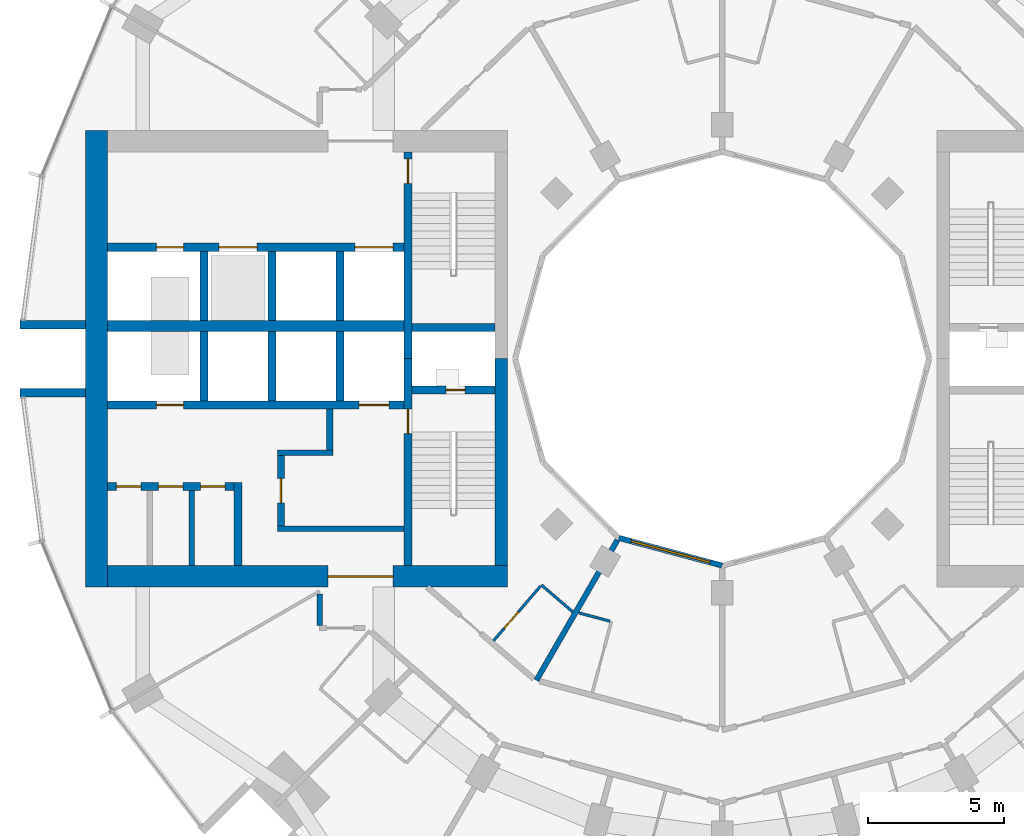
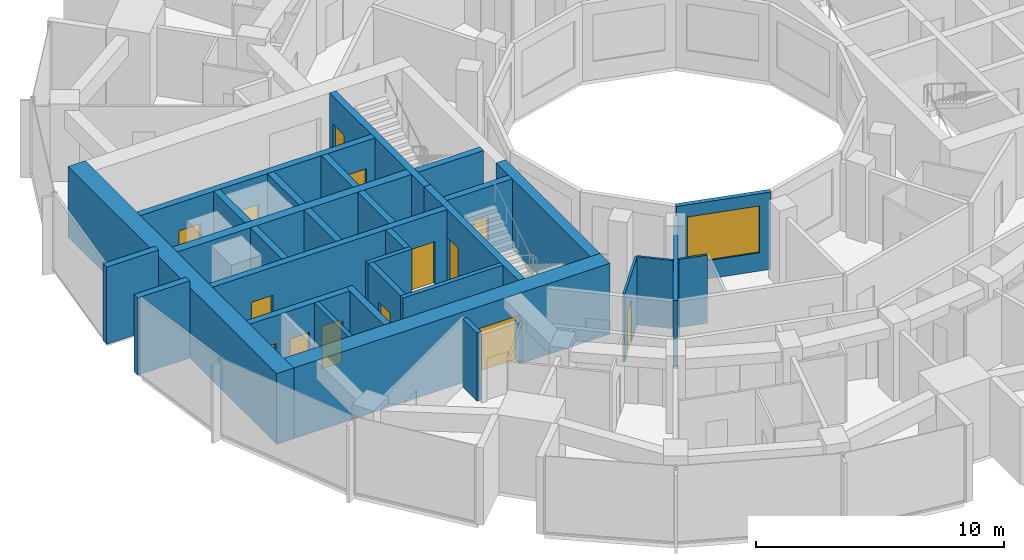
# One storey, part 9 of 15: 31 walls, 14 doors, 1 window, 15 openings.
"""IFC4 building model written with IfcOpenShell, lengths in metres."""

from ifc_helpers import new_model, si_unit, direction, frame, frame_2d, origin, place, context, subcontext, project, spatial, rectangle, extrude, material, layer, layer_set, type_object, element, fill, save


model = new_model("IFC4")

# Units and contexts
model_context = context("Model", 3, precision=1e-05, world=origin(), true_north=direction((0.0, 1.0)))
body_context = subcontext(model_context, "Body", "Model", "MODEL_VIEW")
ifc_project = project(units=[si_unit("LENGTHUNIT", "METRE"), si_unit("AREAUNIT", "SQUARE_METRE"), si_unit("VOLUMEUNIT", "CUBIC_METRE"), si_unit("PLANEANGLEUNIT", "RADIAN"), si_unit("MASSUNIT", "GRAM", prefix="KILO")], contexts=[model_context])

# Site, building, storey
site_placement = place(None, origin())
site = spatial("IfcSite", under=ifc_project, at=site_placement, CompositionType="ELEMENT")
building_placement = place(site_placement, origin())
building = spatial("IfcBuilding", under=site, at=building_placement, Name="Torre Brocal", CompositionType="ELEMENT")
storey_placement = place(building_placement, frame((0.0, 0.0, 51.60009765625)))
storey = spatial("IfcBuildingStorey", under=building, at=storey_placement, Name="L11", CompositionType="ELEMENT", Elevation=51.60009765625)

# Walls
ifc_material_1 = material(Name="Masonry block", Category="masonry")
ifc_layer_1 = layer(ifc_material_1, 0.199951171875)
ifc_layer_set_1 = layer_set([ifc_layer_1], Name="Masonry block")
wall_type_1 = type_object("IfcWallType", Name="CORE PARTITION 200", PredefinedType="PARTITIONING", material=ifc_layer_set_1)
wall_1_placement = place(storey_placement, frame((60.5, 70.14990234375, 0.0), z_axis=(0.0, 0.0, 1.0), x_axis=(0.0, -1.0, 0.0)))
element("IfcWall", 1, at=wall_1_placement, inside=storey, type_object=wall_type_1, Name="Wall CP200", PredefinedType="PARTITIONING", context=body_context, shape_type="SweptSolid", body=[
    extrude(rectangle(XDim=2.75, YDim=0.199951171875, at=frame_2d((1.375, 0.0))), origin(), (0.0, 0.0, 1.0), 3.47998046875),
])
ifc_material_2 = material(Name="Concrete C80", Category="concrete")
ifc_layer_2 = layer(ifc_material_2, 0.199951171875)
ifc_layer_set_2 = layer_set([ifc_layer_2], Name="Concrete C80")
wall_type_2 = type_object("IfcWallType", Name="CORE WALL 200 C80", PredefinedType="SHEAR", material=ifc_layer_set_2)
wall_2_placement = place(storey_placement, frame((68.300048828125, 68.75, 0.0), z_axis=(0.0, 0.0, 1.0), x_axis=(-1.0, 0.0, 0.0)))
element("IfcWall", 2, at=wall_2_placement, inside=storey, type_object=wall_type_2, Name="Wall CW200-80", PredefinedType="SHEAR", context=body_context, shape_type="SweptSolid", body=[
    extrude(rectangle(XDim=4.650146484375, YDim=0.199951171875, at=frame_2d((2.3251953125, 0.0))), origin(), (0.0, 0.0, 1.0), 3.47998046875),
])
wall_3_placement = place(storey_placement, frame((65.699951171875, 71.550048828125, 0.0), z_axis=(0.0, 0.0, 1.0), x_axis=(-1.0, 0.0, 0.0)))
element("IfcWall", 3, at=wall_3_placement, inside=storey, type_object=wall_type_2, Name="Wall CW200-80", PredefinedType="SHEAR", context=body_context, shape_type="SweptSolid", body=[
    extrude(rectangle(XDim=2.050048828125, YDim=0.199951171875, at=frame_2d((1.02490234375, 0.0))), origin(), (0.0, 0.0, 1.0), 3.47998046875),
])

# Wall, opening, door
ifc_material_3 = material(Name="Concrete C80", Category="concrete")
ifc_layer_3 = layer(ifc_material_3, 0.25)
ifc_layer_set_3 = layer_set([ifc_layer_3], Name="Concrete C80")
wall_type_3 = type_object("IfcWallType", Name="CORE WALL 250 C80", PredefinedType="SHEAR", material=ifc_layer_set_3)
wall_4_placement = place(storey_placement, frame((63.77490234375, 71.449951171875, 0.0), z_axis=(0.0, 0.0, 1.0), x_axis=(0.0, -1.0, 0.0)))
wall_4 = element("IfcWall", 4, at=wall_4_placement, inside=storey, type_object=wall_type_3, Name="Wall CW250-80", PredefinedType="SHEAR", context=body_context, shape_type="SweptSolid", body=[
    extrude(rectangle(XDim=2.599853515625, YDim=0.25, at=frame_2d((1.2998046875, 0.0))), origin(), (0.0, 0.0, 1.0), 3.47998046875),
])
opening_1_placement = place(wall_4_placement, frame((0.85009765625, 0.0, 0.0)))
opening_1 = element("IfcOpeningElement", 5, at=opening_1_placement, cuts=wall_4, Name="Opening W-D15", PredefinedType="OPENING", context=body_context, shape_type="SweptSolid", body=[
    extrude(rectangle(XDim=0.89990234375, YDim=2.10009765625, at=frame_2d((0.449951171875, 1.050048828125))), frame((0.0, 0.135009765625, 0.0), z_axis=(0.0, -1.0, 0.0), x_axis=(1.0, 0.0, 0.0)), (0.0, 0.0, 1.0), 0.27001953125),
])
ifc_material_4 = material(Name="Steel A653", Category="steel")
door_type_1 = type_object("IfcDoorType", Name="LOBBY DOOR FD120 900X2100", OperationType="SINGLE_SWING_RIGHT", PredefinedType="DOOR", material=ifc_material_4)
door_1_placement = place(opening_1_placement, origin())
door_1 = element("IfcDoor", 6, at=door_1_placement, inside=storey, type_object=door_type_1, Name="Door W-D15", OperationType="SINGLE_SWING_LEFT", OverallHeight=2.10009765625, OverallWidth=0.89990234375, PredefinedType="DOOR", context=body_context, shape_type="SweptSolid", body=[
    extrude(rectangle(XDim=0.89990234375, YDim=2.10009765625, at=frame_2d((0.449951171875, 1.050048828125))), frame((0.0, 0.02490234375, 0.0), z_axis=(0.0, -1.0, 0.0), x_axis=(1.0, 0.0, 0.0)), (0.0, 0.0, 1.0), 0.050048828125),
])
fill(opening_1, door_1)

# Wall
wall_5_placement = place(storey_placement, frame((65.574951171875, 73.14990234375, 0.0), z_axis=(0.0, 0.0, 1.0), x_axis=(0.0, -1.0, 0.0)))
element("IfcWall", 7, at=wall_5_placement, inside=storey, type_object=wall_type_3, Name="Wall CW250-80", PredefinedType="SHEAR", context=body_context, shape_type="SweptSolid", body=[
    extrude(rectangle(XDim=1.5, YDim=0.25, at=frame_2d((0.75, 0.0))), origin(), (0.0, 0.0, 1.0), 3.47998046875),
])

# Wall, opening, door
ifc_material_5 = material(Name="Concrete C80", Category="concrete")
ifc_layer_4 = layer(ifc_material_5, 0.300048828125)
ifc_layer_set_4 = layer_set([ifc_layer_4], Name="Concrete C80")
wall_type_4 = type_object("IfcWallType", Name="CORE WALL 300 C80", PredefinedType="SHEAR", material=ifc_layer_set_4)
wall_6_placement = place(storey_placement, frame((68.449951171875, 75.0, 0.0), z_axis=(0.0, 0.0, 1.0), x_axis=(0.0, -1.0, 0.0)))
wall_6 = element("IfcWall", 8, at=wall_6_placement, inside=storey, type_object=wall_type_4, Name="Wall CW300-80", PredefinedType="SHEAR", context=body_context, shape_type="SweptSolid", body=[
    extrude(rectangle(XDim=7.60009765625, YDim=0.300048828125, at=frame_2d((3.800048828125, 0.0))), origin(), (0.0, 0.0, 1.0), 3.47998046875),
])
opening_2_placement = place(wall_6_placement, frame((1.85009765625, 0.0, 0.0)))
opening_2 = element("IfcOpeningElement", 9, at=opening_2_placement, cuts=wall_6, Name="Opening W-D02", PredefinedType="OPENING", context=body_context, shape_type="SweptSolid", body=[
    extrude(rectangle(XDim=0.89990234375, YDim=2.10009765625, at=frame_2d((0.449951171875, 1.050048828125))), frame((0.0, 0.159912109375, 0.0), z_axis=(0.0, -1.0, 0.0), x_axis=(1.0, 0.0, 0.0)), (0.0, 0.0, 1.0), 0.320068359375),
])
ifc_material_6 = material(Name="Steel A653", Category="steel")
door_type_2 = type_object("IfcDoorType", Name="STAIR DOOR FD120 900X2100", OperationType="SINGLE_SWING_RIGHT", PredefinedType="DOOR", material=ifc_material_6)
door_2_placement = place(opening_2_placement, origin())
door_2 = element("IfcDoor", 10, at=door_2_placement, inside=storey, type_object=door_type_2, Name="Door W-D02", OperationType="SINGLE_SWING_LEFT", OverallHeight=2.10009765625, OverallWidth=0.89990234375, PredefinedType="DOOR", context=body_context, shape_type="SweptSolid", body=[
    extrude(rectangle(XDim=0.89990234375, YDim=2.10009765625, at=frame_2d((0.449951171875, 1.050048828125))), frame((0.0, 0.02490234375, 0.0), z_axis=(0.0, -1.0, 0.0), x_axis=(1.0, 0.0, 0.0)), (0.0, 0.0, 1.0), 0.050048828125),
])
fill(opening_2, door_2)

wall_7_placement = place(storey_placement, frame((68.449951171875, 82.60009765625, 0.0), z_axis=(0.0, 0.0, 1.0), x_axis=(0.0, -1.0, 0.0)))
wall_7 = element("IfcWall", 11, at=wall_7_placement, inside=storey, type_object=wall_type_4, Name="Wall CW300-80", PredefinedType="SHEAR", context=body_context, shape_type="SweptSolid", body=[
    extrude(rectangle(XDim=7.60009765625, YDim=0.300048828125, at=frame_2d((3.800048828125, 0.0))), origin(), (0.0, 0.0, 1.0), 3.47998046875),
])
opening_3_placement = place(wall_7_placement, frame((0.25, 0.0, 0.0)))
opening_3 = element("IfcOpeningElement", 12, at=opening_3_placement, cuts=wall_7, Name="Opening W-D03", PredefinedType="OPENING", context=body_context, shape_type="SweptSolid", body=[
    extrude(rectangle(XDim=0.89990234375, YDim=2.10009765625, at=frame_2d((0.449951171875, 1.050048828125))), frame((0.0, 0.159912109375, 0.0), z_axis=(0.0, -1.0, 0.0), x_axis=(1.0, 0.0, 0.0)), (0.0, 0.0, 1.0), 0.320068359375),
])
door_3_placement = place(opening_3_placement, origin())
door_3 = element("IfcDoor", 13, at=door_3_placement, inside=storey, type_object=door_type_2, Name="Door W-D03", OperationType="SINGLE_SWING_LEFT", OverallHeight=2.10009765625, OverallWidth=0.89990234375, PredefinedType="DOOR", context=body_context, shape_type="SweptSolid", body=[
    extrude(rectangle(XDim=0.89990234375, YDim=2.10009765625, at=frame_2d((0.449951171875, 1.050048828125))), frame((0.0, 0.02490234375, 0.0), z_axis=(0.0, -1.0, 0.0), x_axis=(1.0, 0.0, 0.0)), (0.0, 0.0, 1.0), 0.050048828125),
])
fill(opening_3, door_3)

wall_8_placement = place(storey_placement, frame((71.64990234375, 73.85009765625, 0.0), z_axis=(0.0, 0.0, 1.0), x_axis=(-1.0, 0.0, 0.0)))
wall_8 = element("IfcWall", 14, at=wall_8_placement, inside=storey, type_object=wall_type_4, Name="Wall CW300-80", PredefinedType="SHEAR", context=body_context, shape_type="SweptSolid", body=[
    extrude(rectangle(XDim=3.0498046875, YDim=0.300048828125, at=frame_2d((1.52490234375, 0.0))), origin(), (0.0, 0.0, 1.0), 3.47998046875),
])
opening_4_placement = place(wall_8_placement, frame((1.10009765625, 0.0, 0.0)))
opening_4 = element("IfcOpeningElement", 15, at=opening_4_placement, cuts=wall_8, Name="Opening W-D01", PredefinedType="OPENING", context=body_context, shape_type="SweptSolid", body=[
    extrude(rectangle(XDim=0.699951171875, YDim=2.0, at=frame_2d((0.35009765625, 1.0))), frame((0.0, 0.159912109375, 0.0), z_axis=(0.0, -1.0, 0.0), x_axis=(1.0, 0.0, 0.0)), (0.0, 0.0, 1.0), 0.320068359375),
])
ifc_material_7 = material(Name="Steel A653", Category="steel")
door_type_3 = type_object("IfcDoorType", Name="RISER DOOR FD120 700X2000", OperationType="SINGLE_SWING_LEFT", PredefinedType="DOOR", material=ifc_material_7)
door_4_placement = place(opening_4_placement, frame((0.699951171875, 0.0, 0.0), z_axis=(0.0, 0.0, 1.0), x_axis=(-1.0, 0.0, 0.0)))
door_4 = element("IfcDoor", 16, at=door_4_placement, inside=storey, type_object=door_type_3, Name="Door W-D01", OperationType="SINGLE_SWING_RIGHT", OverallHeight=2.0, OverallWidth=0.699951171875, PredefinedType="DOOR", context=body_context, shape_type="SweptSolid", body=[
    extrude(rectangle(XDim=0.699951171875, YDim=2.0, at=frame_2d((0.35009765625, 1.0))), frame((0.0, 0.02490234375, 0.0), z_axis=(0.0, -1.0, 0.0), x_axis=(1.0, 0.0, 0.0)), (0.0, 0.0, 1.0), 0.050048828125),
])
fill(opening_4, door_4)

# Wall
wall_9_placement = place(storey_placement, frame((71.64990234375, 76.14990234375, 0.0), z_axis=(0.0, 0.0, 1.0), x_axis=(-1.0, 0.0, 0.0)))
element("IfcWall", 17, at=wall_9_placement, inside=storey, type_object=wall_type_4, Name="Wall CW300-80", PredefinedType="SHEAR", context=body_context, shape_type="SweptSolid", body=[
    extrude(rectangle(XDim=3.0498046875, YDim=0.300048828125, at=frame_2d((1.52490234375, 0.0))), origin(), (0.0, 0.0, 1.0), 3.47998046875),
])

# Wall, openings, doors
wall_10_placement = place(storey_placement, frame((68.300048828125, 73.300048828125, 0.0), z_axis=(0.0, 0.0, 1.0), x_axis=(-1.0, 0.0, 0.0)))
wall_10 = element("IfcWall", 18, at=wall_10_placement, inside=storey, type_object=wall_type_4, Name="Wall CW300-80", PredefinedType="SHEAR", context=body_context, shape_type="SweptSolid", body=[
    extrude(rectangle(XDim=10.900146484375, YDim=0.300048828125, at=frame_2d((5.4501953125, 0.0))), origin(), (0.0, 0.0, 1.0), 3.47998046875),
])
opening_5_placement = place(wall_10_placement, frame((0.550048828125, 0.0, 0.0)))
opening_5 = element("IfcOpeningElement", 19, at=opening_5_placement, cuts=wall_10, Name="Opening LD", PredefinedType="OPENING", context=body_context, shape_type="SweptSolid", body=[
    extrude(rectangle(XDim=1.10009765625, YDim=2.10009765625, at=frame_2d((0.550048828125, 1.050048828125))), frame((0.0, 0.159912109375, 0.0), z_axis=(0.0, -1.0, 0.0), x_axis=(1.0, 0.0, 0.0)), (0.0, 0.0, 1.0), 0.320068359375),
])
opening_6_placement = place(wall_10_placement, frame((8.10009765625, 0.0, 0.0)))
opening_6 = element("IfcOpeningElement", 20, at=opening_6_placement, cuts=wall_10, Name="Opening LD10", PredefinedType="OPENING", context=body_context, shape_type="SweptSolid", body=[
    extrude(rectangle(XDim=1.0, YDim=2.10009765625, at=frame_2d((0.5, 1.050048828125))), frame((0.0, 0.159912109375, 0.0), z_axis=(0.0, -1.0, 0.0), x_axis=(1.0, 0.0, 0.0)), (0.0, 0.0, 1.0), 0.320068359375),
])
ifc_material_8 = material(Name="Stainless steel AISI 316", Category="steel")
door_type_4 = type_object("IfcDoorType", Name="LIFT LANDING DOOR 1000X2100", OperationType="DOUBLE_DOOR_SLIDING", PredefinedType="DOOR", material=ifc_material_8)
door_5_placement = place(opening_6_placement, origin())
door_5 = element("IfcDoor", 21, at=door_5_placement, inside=storey, type_object=door_type_4, Name="Door LD10", OperationType="DOUBLE_DOOR_SLIDING", OverallHeight=2.10009765625, OverallWidth=1.0, PredefinedType="DOOR", context=body_context, shape_type="SweptSolid", body=[
    extrude(rectangle(XDim=1.0, YDim=2.10009765625, at=frame_2d((0.5, 1.050048828125))), frame((0.0, 0.02490234375, 0.0), z_axis=(0.0, -1.0, 0.0), x_axis=(1.0, 0.0, 0.0)), (0.0, 0.0, 1.0), 0.050048828125),
])
fill(opening_6, door_5)
ifc_material_9 = material(Name="Stainless steel AISI 316", Category="steel")
door_type_5 = type_object("IfcDoorType", Name="LIFT LANDING DOOR 1100X2100", OperationType="DOUBLE_DOOR_SLIDING", PredefinedType="DOOR", material=ifc_material_9)
door_6_placement = place(opening_5_placement, origin())
door_6 = element("IfcDoor", 22, at=door_6_placement, inside=storey, type_object=door_type_5, Name="Door LD", OperationType="DOUBLE_DOOR_SLIDING", OverallHeight=2.10009765625, OverallWidth=1.10009765625, PredefinedType="DOOR", context=body_context, shape_type="SweptSolid", body=[
    extrude(rectangle(XDim=1.10009765625, YDim=2.10009765625, at=frame_2d((0.550048828125, 1.050048828125))), frame((0.0, 0.02490234375, 0.0), z_axis=(0.0, -1.0, 0.0), x_axis=(1.0, 0.0, 0.0)), (0.0, 0.0, 1.0), 0.050048828125),
])
fill(opening_5, door_6)

wall_11_placement = place(storey_placement, frame((68.300048828125, 79.10009765625, 0.0), z_axis=(0.0, 0.0, 1.0), x_axis=(-1.0, 0.0, 0.0)))
wall_11 = element("IfcWall", 23, at=wall_11_placement, inside=storey, type_object=wall_type_4, Name="Wall CW300-80", PredefinedType="SHEAR", context=body_context, shape_type="SweptSolid", body=[
    extrude(rectangle(XDim=10.900146484375, YDim=0.300048828125, at=frame_2d((5.4501953125, 0.0))), origin(), (0.0, 0.0, 1.0), 3.47998046875),
])
opening_7_placement = place(wall_11_placement, frame((0.39990234375, 0.0, 0.0)))
opening_7 = element("IfcOpeningElement", 24, at=opening_7_placement, cuts=wall_11, Name="Opening LD14", PredefinedType="OPENING", context=body_context, shape_type="SweptSolid", body=[
    extrude(rectangle(XDim=1.39990234375, YDim=2.10009765625, at=frame_2d((0.699951171875, 1.050048828125))), frame((0.0, 0.159912109375, 0.0), z_axis=(0.0, -1.0, 0.0), x_axis=(1.0, 0.0, 0.0)), (0.0, 0.0, 1.0), 0.320068359375),
])
opening_8_placement = place(wall_11_placement, frame((5.39990234375, 0.0, 0.0)))
opening_8 = element("IfcOpeningElement", 25, at=opening_8_placement, cuts=wall_11, Name="Opening LD14", PredefinedType="OPENING", context=body_context, shape_type="SweptSolid", body=[
    extrude(rectangle(XDim=1.39990234375, YDim=2.10009765625, at=frame_2d((0.699951171875, 1.050048828125))), frame((0.0, 0.159912109375, 0.0), z_axis=(0.0, -1.0, 0.0), x_axis=(1.0, 0.0, 0.0)), (0.0, 0.0, 1.0), 0.320068359375),
])
opening_9_placement = place(wall_11_placement, frame((8.10009765625, 0.0, 0.0)))
opening_9 = element("IfcOpeningElement", 26, at=opening_9_placement, cuts=wall_11, Name="Opening LD10", PredefinedType="OPENING", context=body_context, shape_type="SweptSolid", body=[
    extrude(rectangle(XDim=1.0, YDim=2.10009765625, at=frame_2d((0.5, 1.050048828125))), frame((0.0, 0.159912109375, 0.0), z_axis=(0.0, -1.0, 0.0), x_axis=(1.0, 0.0, 0.0)), (0.0, 0.0, 1.0), 0.320068359375),
])
door_7_placement = place(opening_9_placement, origin())
door_7 = element("IfcDoor", 27, at=door_7_placement, inside=storey, type_object=door_type_4, Name="Door LD10", OperationType="DOUBLE_DOOR_SLIDING", OverallHeight=2.10009765625, OverallWidth=1.0, PredefinedType="DOOR", context=body_context, shape_type="SweptSolid", body=[
    extrude(rectangle(XDim=1.0, YDim=2.10009765625, at=frame_2d((0.5, 1.050048828125))), frame((0.0, 0.02490234375, 0.0), z_axis=(0.0, -1.0, 0.0), x_axis=(1.0, 0.0, 0.0)), (0.0, 0.0, 1.0), 0.050048828125),
])
fill(opening_9, door_7)
ifc_material_10 = material(Name="Stainless steel AISI 316", Category="steel")
door_type_6 = type_object("IfcDoorType", Name="LIFT LANDING DOOR 1400X2100", OperationType="DOUBLE_DOOR_SLIDING", PredefinedType="DOOR", material=ifc_material_10)
door_8_placement = place(opening_7_placement, origin())
door_8 = element("IfcDoor", 28, at=door_8_placement, inside=storey, type_object=door_type_6, Name="Door LD14", OperationType="DOUBLE_DOOR_SLIDING", OverallHeight=2.10009765625, OverallWidth=1.39990234375, PredefinedType="DOOR", context=body_context, shape_type="SweptSolid", body=[
    extrude(rectangle(XDim=1.39990234375, YDim=2.10009765625, at=frame_2d((0.699951171875, 1.050048828125))), frame((0.0, 0.02490234375, 0.0), z_axis=(0.0, -1.0, 0.0), x_axis=(1.0, 0.0, 0.0)), (0.0, 0.0, 1.0), 0.050048828125),
])
fill(opening_7, door_8)
door_9_placement = place(opening_8_placement, origin())
door_9 = element("IfcDoor", 29, at=door_9_placement, inside=storey, type_object=door_type_6, Name="Door LD14", OperationType="DOUBLE_DOOR_SLIDING", OverallHeight=2.10009765625, OverallWidth=1.39990234375, PredefinedType="DOOR", context=body_context, shape_type="SweptSolid", body=[
    extrude(rectangle(XDim=1.39990234375, YDim=2.10009765625, at=frame_2d((0.699951171875, 1.050048828125))), frame((0.0, 0.02490234375, 0.0), z_axis=(0.0, -1.0, 0.0), x_axis=(1.0, 0.0, 0.0)), (0.0, 0.0, 1.0), 0.050048828125),
])
fill(opening_8, door_9)

# Walls
for number, where, z_axis, x_axis, name in (
    (30, (65.949951171875, 76.0, 0.0), (0.0, 0.0, 1.0), (0.0, -1.0, 0.0), "Wall CW300-80"),
    (31, (63.449951171875, 76.0, 0.0), (0.0, 0.0, 1.0), (0.0, -1.0, 0.0), "Wall CW300-80"),
    (32, (60.949951171875, 76.0, 0.0), (0.0, 0.0, 1.0), (0.0, -1.0, 0.0), "Wall CW300-80"),
    (33, (65.949951171875, 78.949951171875, 0.0), (0.0, 0.0, 1.0), (0.0, -1.0, 0.0), "Wall CW300-80"),
    (34, (63.449951171875, 78.949951171875, 0.0), (0.0, 0.0, 1.0), (0.0, -1.0, 0.0), "Wall CW300-80"),
    (35, (60.949951171875, 78.949951171875, 0.0), (0.0, 0.0, 1.0), (0.0, -1.0, 0.0), "Wall CW300-80"),
):
    element("IfcWall", number, at=place(storey_placement, frame(where, z_axis=z_axis, x_axis=x_axis)), inside=storey, type_object=wall_type_4, Name=name, PredefinedType="SHEAR", context=body_context, shape_type="SweptSolid", body=[
        extrude(rectangle(XDim=2.550048828125, YDim=0.300048828125, at=frame_2d((1.27490234375, 0.0))), origin(), (0.0, 0.0, 1.0), 3.47998046875),
    ])
wall_12_placement = place(storey_placement, frame((62.199951171875, 70.449951171875, 0.0), z_axis=(0.0, 0.0, 1.0), x_axis=(0.0, -1.0, 0.0)))
element("IfcWall", 36, at=wall_12_placement, inside=storey, type_object=wall_type_4, Name="Wall CW300-80", PredefinedType="SHEAR", context=body_context, shape_type="SweptSolid", body=[
    extrude(rectangle(XDim=3.050048828125, YDim=0.300048828125, at=frame_2d((1.52490234375, 0.0))), origin(), (0.0, 0.0, 1.0), 3.47998046875),
])

# Wall, openings, doors
wall_13_placement = place(storey_placement, frame((62.050048828125, 70.300048828125, 0.0), z_axis=(0.0, 0.0, 1.0), x_axis=(-1.0, 0.0, 0.0)))
wall_13 = element("IfcWall", 37, at=wall_13_placement, inside=storey, type_object=wall_type_4, Name="Wall CW300-80", PredefinedType="SHEAR", context=body_context, shape_type="SweptSolid", body=[
    extrude(rectangle(XDim=4.650146484375, YDim=0.300048828125, at=frame_2d((2.3251953125, 0.0))), origin(), (0.0, 0.0, 1.0), 3.47998046875),
])
opening_10_placement = place(wall_13_placement, frame((0.324951171875, 0.0, 0.0)))
opening_10 = element("IfcOpeningElement", 38, at=opening_10_placement, cuts=wall_13, Name="Opening W-D05", PredefinedType="OPENING", context=body_context, shape_type="SweptSolid", body=[
    extrude(rectangle(XDim=0.89990234375, YDim=2.10009765625, at=frame_2d((0.449951171875, 1.050048828125))), frame((0.0, 0.159912109375, 0.0), z_axis=(0.0, -1.0, 0.0), x_axis=(1.0, 0.0, 0.0)), (0.0, 0.0, 1.0), 0.320068359375),
])
opening_11_placement = place(wall_13_placement, frame((1.875, 0.0, 0.0)))
opening_11 = element("IfcOpeningElement", 39, at=opening_11_placement, cuts=wall_13, Name="Opening W-D06", PredefinedType="OPENING", context=body_context, shape_type="SweptSolid", body=[
    extrude(rectangle(XDim=0.89990234375, YDim=2.10009765625, at=frame_2d((0.449951171875, 1.050048828125))), frame((0.0, 0.159912109375, 0.0), z_axis=(0.0, -1.0, 0.0), x_axis=(1.0, 0.0, 0.0)), (0.0, 0.0, 1.0), 0.320068359375),
])
opening_12_placement = place(wall_13_placement, frame((3.425048828125, 0.0, 0.0)))
opening_12 = element("IfcOpeningElement", 40, at=opening_12_placement, cuts=wall_13, Name="Opening W-D07", PredefinedType="OPENING", context=body_context, shape_type="SweptSolid", body=[
    extrude(rectangle(XDim=0.89990234375, YDim=2.10009765625, at=frame_2d((0.449951171875, 1.050048828125))), frame((0.0, 0.159912109375, 0.0), z_axis=(0.0, -1.0, 0.0), x_axis=(1.0, 0.0, 0.0)), (0.0, 0.0, 1.0), 0.320068359375),
])
ifc_material_11 = material(Name="Steel A653", Category="steel")
door_type_7 = type_object("IfcDoorType", Name="ROOM DOOR FD30S 900X2100", OperationType="SINGLE_SWING_LEFT", PredefinedType="DOOR", material=ifc_material_11)
door_10_placement = place(opening_10_placement, origin())
door_10 = element("IfcDoor", 41, at=door_10_placement, inside=storey, type_object=door_type_7, Name="Door W-D05", OperationType="SINGLE_SWING_RIGHT", OverallHeight=2.10009765625, OverallWidth=0.89990234375, PredefinedType="DOOR", context=body_context, shape_type="SweptSolid", body=[
    extrude(rectangle(XDim=0.89990234375, YDim=2.10009765625, at=frame_2d((0.449951171875, 1.050048828125))), frame((0.0, 0.02490234375, 0.0), z_axis=(0.0, -1.0, 0.0), x_axis=(1.0, 0.0, 0.0)), (0.0, 0.0, 1.0), 0.050048828125),
])
fill(opening_10, door_10)
door_11_placement = place(opening_11_placement, origin())
door_11 = element("IfcDoor", 42, at=door_11_placement, inside=storey, type_object=door_type_7, Name="Door W-D06", OperationType="SINGLE_SWING_RIGHT", OverallHeight=2.10009765625, OverallWidth=0.89990234375, PredefinedType="DOOR", context=body_context, shape_type="SweptSolid", body=[
    extrude(rectangle(XDim=0.89990234375, YDim=2.10009765625, at=frame_2d((0.449951171875, 1.050048828125))), frame((0.0, 0.02490234375, 0.0), z_axis=(0.0, -1.0, 0.0), x_axis=(1.0, 0.0, 0.0)), (0.0, 0.0, 1.0), 0.050048828125),
])
fill(opening_11, door_11)
door_12_placement = place(opening_12_placement, origin())
door_12 = element("IfcDoor", 43, at=door_12_placement, inside=storey, type_object=door_type_7, Name="Door W-D07", OperationType="SINGLE_SWING_LEFT", OverallHeight=2.10009765625, OverallWidth=0.89990234375, PredefinedType="DOOR", context=body_context, shape_type="SweptSolid", body=[
    extrude(rectangle(XDim=0.89990234375, YDim=2.10009765625, at=frame_2d((0.449951171875, 1.050048828125))), frame((0.0, 0.02490234375, 0.0), z_axis=(0.0, -1.0, 0.0), x_axis=(1.0, 0.0, 0.0)), (0.0, 0.0, 1.0), 0.050048828125),
])
fill(opening_12, door_12)

# Walls
ifc_material_12 = material(Name="Concrete C80", Category="concrete")
ifc_layer_5 = layer(ifc_material_12, 0.39990234375)
ifc_layer_set_5 = layer_set([ifc_layer_5], Name="Concrete C80")
wall_type_5 = type_object("IfcWallType", Name="CORE WALL 400 C80", PredefinedType="SHEAR", material=ifc_layer_set_5)
wall_14_placement = place(storey_placement, frame((68.300048828125, 76.199951171875, 0.0), z_axis=(0.0, 0.0, 1.0), x_axis=(-1.0, 0.0, 0.0)))
element("IfcWall", 44, at=wall_14_placement, inside=storey, type_object=wall_type_5, Name="Wall CW400-80", PredefinedType="SHEAR", context=body_context, shape_type="SweptSolid", body=[
    extrude(rectangle(XDim=10.900146484375, YDim=0.39990234375, at=frame_2d((5.4501953125, 0.0))), origin(), (0.0, 0.0, 1.0), 3.47998046875),
])
ifc_material_13 = material(Name="Concrete C80", Category="concrete")
ifc_layer_6 = layer(ifc_material_13, 0.449951171875)
ifc_layer_set_6 = layer_set([ifc_layer_6], Name="Concrete C80")
wall_type_6 = type_object("IfcWallType", Name="CORE WALL 450 C80", PredefinedType="SHEAR", material=ifc_layer_set_6)
wall_15_placement = place(storey_placement, frame((71.875, 75.0, 0.0), z_axis=(0.0, 0.0, 1.0), x_axis=(0.0, -1.0, 0.0)))
element("IfcWall", 45, at=wall_15_placement, inside=storey, type_object=wall_type_6, Name="Wall CW450-80", PredefinedType="SHEAR", context=body_context, shape_type="SweptSolid", body=[
    extrude(rectangle(XDim=7.60009765625, YDim=0.449951171875, at=frame_2d((3.800048828125, 0.0))), origin(), (0.0, 0.0, 1.0), 3.47998046875),
])

# Wall, opening, door
ifc_material_14 = material(Name="Concrete C80", Category="concrete")
ifc_layer_7 = layer(ifc_material_14, 0.800048828125)
ifc_layer_set_7 = layer_set([ifc_layer_7], Name="Concrete C80")
wall_type_7 = type_object("IfcWallType", Name="CORE WALL 800 C80", PredefinedType="SHEAR", material=ifc_layer_set_7)
wall_16_placement = place(storey_placement, frame((72.10009765625, 67.0, 0.0), z_axis=(0.0, 0.0, 1.0), x_axis=(-1.0, 0.0, 0.0)))
wall_16 = element("IfcWall", 46, at=wall_16_placement, inside=storey, type_object=wall_type_7, Name="Wall CW800-80", PredefinedType="SHEAR", context=body_context, shape_type="SweptSolid", body=[
    extrude(rectangle(XDim=14.7001953125, YDim=0.800048828125, at=frame_2d((7.35009765625, 0.0))), origin(), (0.0, 0.0, 1.0), 3.47998046875),
])
opening_13_placement = place(wall_16_placement, frame((4.199951171875, 0.0, 0.0)))
opening_13 = element("IfcOpeningElement", 47, at=opening_13_placement, cuts=wall_16, Name="Opening W-D27", PredefinedType="OPENING", context=body_context, shape_type="SweptSolid", body=[
    extrude(rectangle(XDim=2.39990234375, YDim=2.39990234375, at=frame_2d((1.199951171875, 1.199951171875))), frame((0.0, 0.409912109375, 0.0), z_axis=(0.0, -1.0, 0.0), x_axis=(1.0, 0.0, 0.0)), (0.0, 0.0, 1.0), 0.820068359375),
])
ifc_material_15 = material(Name="Steel A653", Category="steel")
door_type_8 = type_object("IfcDoorType", Name="DOUBLE FIRE DOOR FD90 2400X2400", OperationType="DOUBLE_DOOR_SINGLE_SWING", PredefinedType="DOOR", material=ifc_material_15)
door_13_placement = place(opening_13_placement, frame((2.39990234375, 0.0, 0.0), z_axis=(0.0, 0.0, 1.0), x_axis=(-1.0, 0.0, 0.0)))
door_13 = element("IfcDoor", 48, at=door_13_placement, inside=storey, type_object=door_type_8, Name="Door W-D27", OperationType="DOUBLE_DOOR_SINGLE_SWING", OverallHeight=2.39990234375, OverallWidth=2.39990234375, PredefinedType="DOOR", context=body_context, shape_type="SweptSolid", body=[
    extrude(rectangle(XDim=2.39990234375, YDim=2.39990234375, at=frame_2d((1.199951171875, 1.199951171875))), frame((0.0, 0.02490234375, 0.0), z_axis=(0.0, -1.0, 0.0), x_axis=(1.0, 0.0, 0.0)), (0.0, 0.0, 1.0), 0.050048828125),
])
fill(opening_13, door_13)

# Walls
wall_17_placement = place(storey_placement, frame((57.0, 83.39990234375, 0.0), z_axis=(0.0, 0.0, 1.0), x_axis=(0.0, -1.0, 0.0)))
element("IfcWall", 49, at=wall_17_placement, inside=storey, type_object=wall_type_7, Name="Wall CW800-80", PredefinedType="SHEAR", context=body_context, shape_type="SweptSolid", body=[
    extrude(rectangle(XDim=16.7998046875, YDim=0.800048828125, at=frame_2d((8.39990234375, 0.0))), origin(), (0.0, 0.0, 1.0), 3.47998046875),
])
ifc_material_16 = material(Name="Concrete C80", Category="concrete")
ifc_layer_8 = layer(ifc_material_16, 0.300048828125)
ifc_layer_set_8 = layer_set([ifc_layer_8], Name="Concrete C80")
wall_type_8 = type_object("IfcWallType", Name="NOTCH RETURN WALL 300 C80", PredefinedType="NOTDEFINED", material=ifc_layer_set_8)
for number, where, z_axis, x_axis, name in (
    (50, (56.60009765625, 76.25, 0.0), (0.0, 0.0, 1.0), (-1.0, 0.0, 0.0), "NOTCH RETURN WALL"),
    (51, (56.60009765625, 73.75, 0.0), (0.0, 0.0, 1.0), (-1.0, 0.0, 0.0), "NOTCH RETURN WALL"),
):
    element("IfcWall", number, at=place(storey_placement, frame(where, z_axis=z_axis, x_axis=x_axis)), inside=storey, type_object=wall_type_8, Name=name, PredefinedType="NOTDEFINED", context=body_context, shape_type="SweptSolid", body=[
        extrude(rectangle(XDim=2.415771484375, YDim=0.300048828125, at=frame_2d((1.2080078125, 0.0))), origin(), (0.0, 0.0, 1.0), 3.7998046875),
    ])

# Wall, opening, door
ifc_material_17 = material(Name="Gypsum board", Category="Gypsum")
ifc_layer_9 = layer(ifc_material_17, 0.10009765625)
ifc_layer_set_9 = layer_set([ifc_layer_9], Name="Gypsum board")
wall_type_9 = type_object("IfcWallType", Name="PARTITION 100", PredefinedType="PARTITIONING", material=ifc_layer_set_9)
wall_18_placement = place(storey_placement, frame((71.59619140625, 64.634765625, 0.0), z_axis=(0.0, 0.0, 1.0), x_axis=(0.652285007511, 0.757973791748, 0.0)))
wall_18 = element("IfcWall", 52, at=wall_18_placement, inside=storey, type_object=wall_type_9, Name="BATHROOM WALL", PredefinedType="PARTITIONING", context=body_context, shape_type="SweptSolid", body=[
    extrude(rectangle(XDim=2.649658203125, YDim=0.10009765625, at=frame_2d((1.32470703125, 0.0))), origin(), (0.0, 0.0, 1.0), 3.349853515625),
])
opening_14_placement = place(wall_18_placement, frame((0.599609375, 0.0, 0.0)))
opening_14 = element("IfcOpeningElement", 53, at=opening_14_placement, cuts=wall_18, Name="Opening H03-D46", PredefinedType="OPENING", context=body_context, shape_type="SweptSolid", body=[
    extrude(rectangle(XDim=0.800048828125, YDim=2.10009765625, at=frame_2d((0.39990234375, 1.050048828125))), frame((0.0, 0.06005859375, 0.0), z_axis=(0.0, -1.0, 0.0), x_axis=(1.0, 0.0, 0.0)), (0.0, 0.0, 1.0), 0.1201171875),
])
ifc_material_18 = material(Name="Timber", Category="wood")
door_type_9 = type_object("IfcDoorType", Name="BATHROOM DOOR 800X2100", OperationType="SINGLE_SWING_LEFT", PredefinedType="DOOR", material=ifc_material_18)
door_14_placement = place(opening_14_placement, frame((0.800048828125, 0.0, 0.0), z_axis=(0.0, 0.0, 1.0), x_axis=(-1.0, 0.0, 0.0)))
door_14 = element("IfcDoor", 54, at=door_14_placement, inside=storey, type_object=door_type_9, Name="H03-D46", OperationType="SINGLE_SWING_RIGHT", OverallHeight=2.10009765625, OverallWidth=0.800048828125, PredefinedType="DOOR", context=body_context, shape_type="SweptSolid", body=[
    extrude(rectangle(XDim=0.800048828125, YDim=2.10009765625, at=frame_2d((0.39990234375, 1.050048828125))), frame((0.0, 0.02490234375, 0.0), z_axis=(0.0, -1.0, 0.0), x_axis=(1.0, 0.0, 0.0)), (0.0, 0.0, 1.0), 0.050048828125),
])
fill(opening_14, door_14)

# Walls
wall_19_placement = place(storey_placement, frame((73.35693359375, 66.680908203125, 0.0), z_axis=(0.0, 0.0, 1.0), x_axis=(0.758263469747, -0.651948242154, 0.0)))
element("IfcWall", 55, at=wall_19_placement, inside=storey, type_object=wall_type_9, Name="BATHROOM WALL", PredefinedType="PARTITIONING", context=body_context, shape_type="SweptSolid", body=[
    extrude(rectangle(XDim=1.510986328125, YDim=0.10009765625, at=frame_2d((0.75537109375, 0.0))), origin(), (0.0, 0.0, 1.0), 3.349853515625),
])
wall_20_placement = place(storey_placement, frame((74.729248046875, 65.657470703125, 0.0), z_axis=(0.0, 0.0, 1.0), x_axis=(0.965948051503, -0.258736085224, 0.0)))
element("IfcWall", 56, at=wall_20_placement, inside=storey, type_object=wall_type_9, Name="BATHROOM WALL", PredefinedType="PARTITIONING", context=body_context, shape_type="SweptSolid", body=[
    extrude(rectangle(XDim=1.18896484375, YDim=0.10009765625, at=frame_2d((0.594482421875, 0.0))), origin(), (0.0, 0.0, 1.0), 3.349853515625),
])
ifc_material_19 = material(Name="Gypsum board", Category="Gypsum")
ifc_layer_10 = layer(ifc_material_19, 0.199951171875)
ifc_layer_set_10 = layer_set([ifc_layer_10], Name="Gypsum board")
wall_type_10 = type_object("IfcWallType", Name="PARTITION 200 EI60", PredefinedType="PARTITIONING", material=ifc_layer_set_10)
wall_21_placement = place(storey_placement, frame((65.199951171875, 65.199951171875, 0.0), z_axis=(0.0, 0.0, 1.0), x_axis=(0.0, 1.0, 0.0)))
element("IfcWall", 57, at=wall_21_placement, inside=storey, type_object=wall_type_10, Name="GUESTROOM CORRIDOR WALL", PredefinedType="PARTITIONING", context=body_context, shape_type="SweptSolid", body=[
    extrude(rectangle(XDim=1.150146484375, YDim=0.199951171875, at=frame_2d((0.5751953125, 0.0))), origin(), (0.0, 0.0, 1.0), 3.349853515625),
])
wall_22_placement = place(storey_placement, frame((73.17041015625, 63.177490234375, 0.0), z_axis=(0.0, 0.0, 1.0), x_axis=(0.500239348149, 0.865887171959, 0.0)))
element("IfcWall", 58, at=wall_22_placement, inside=storey, type_object=wall_type_10, Name="BATHROOM WALL", PredefinedType="PARTITIONING", context=body_context, shape_type="SweptSolid", body=[
    extrude(rectangle(XDim=5.955078125, YDim=0.199951171875, at=frame_2d((2.9775390625, 0.0))), origin(), (0.0, 0.0, 1.0), 3.349853515625),
])

# Wall, opening, window
ifc_material_20 = material(Name="Concrete C40", Category="concrete")
ifc_layer_11 = layer(ifc_material_20, 0.199951171875)
ifc_layer_set_11 = layer_set([ifc_layer_11], Name="Concrete C40")
wall_type_11 = type_object("IfcWallType", Name="WELL FACADE WALL 200", PredefinedType="NOTDEFINED", material=ifc_layer_set_11)
wall_23_placement = place(storey_placement, frame((76.1982421875, 68.4150390625, 0.0), z_axis=(0.0, 0.0, 1.0), x_axis=(0.965933654434, -0.258789828301, 0.0)))
wall_23 = element("IfcWall", 59, at=wall_23_placement, inside=storey, type_object=wall_type_11, Name="WELL FACADE WALL", PredefinedType="NOTDEFINED", context=body_context, shape_type="SweptSolid", body=[
    extrude(rectangle(XDim=3.935791015625, YDim=0.199951171875, at=frame_2d((1.9677734375, 0.0))), origin(), (0.0, 0.0, 1.0), 3.7998046875),
])
opening_15_placement = place(wall_23_placement, frame((0.468017578125, 0.0, 0.89990234375)))
opening_15 = element("IfcOpeningElement", 60, at=opening_15_placement, cuts=wall_23, Name="Opening W1", PredefinedType="OPENING", context=body_context, shape_type="SweptSolid", body=[
    extrude(rectangle(XDim=3.0, YDim=2.300048828125, at=frame_2d((1.5, 1.14990234375))), frame((0.0, 0.10986328125, 0.0), z_axis=(0.0, -1.0, 0.0), x_axis=(1.0, 0.0, 0.0)), (0.0, 0.0, 1.0), 0.219970703125),
])
ifc_material_21 = material(Name="Aluminium and glass", Category="aluminium")
window_type = type_object("IfcWindowType", Name="WELL WINDOW 3000X2300", PartitioningType="SINGLE_PANEL", PredefinedType="WINDOW", material=ifc_material_21)
window_placement = place(opening_15_placement, origin())
window = element("IfcWindow", 61, at=window_placement, inside=storey, type_object=window_type, Name="WELL WINDOW 3000X2300", OverallHeight=2.300048828125, OverallWidth=3.0, PartitioningType="SINGLE_PANEL", PredefinedType="WINDOW", context=body_context, shape_type="SweptSolid", body=[
    extrude(rectangle(XDim=3.0, YDim=2.300048828125, at=frame_2d((1.5, 1.14990234375))), frame((0.0, 0.030029296875, 0.0), z_axis=(0.0, -1.0, 0.0), x_axis=(1.0, 0.0, 0.0)), (0.0, 0.0, 1.0), 0.06005859375),
])
fill(opening_15, window)

save(model, "model.ifc")
